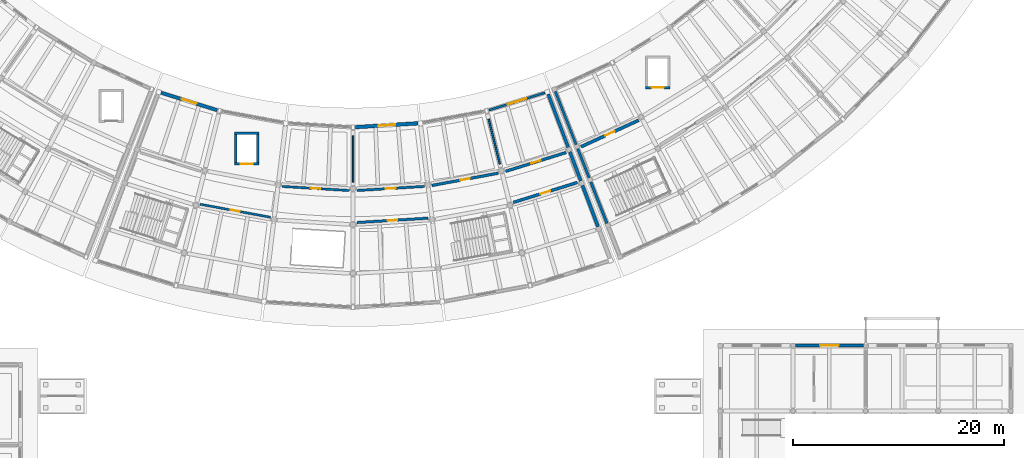
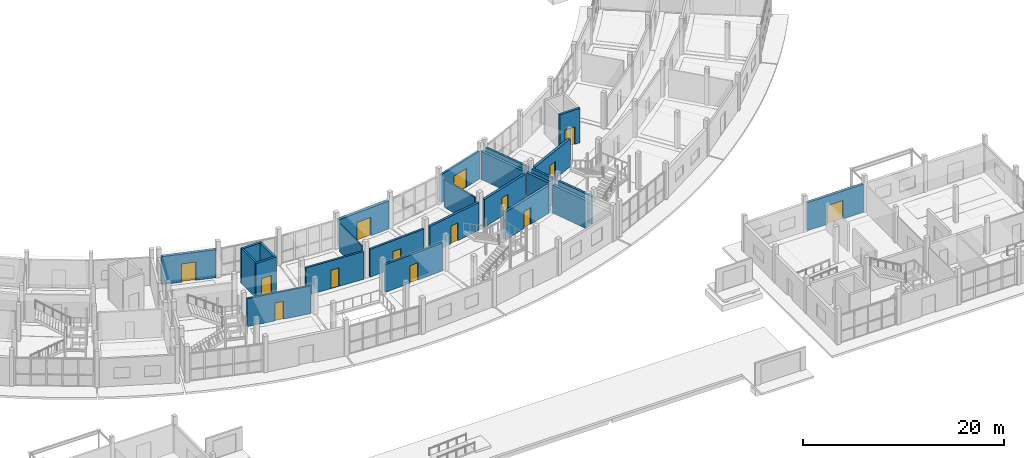
# One storey, part 69 of 92: 25 walls, 14 doors, 14 openings.
"""IFC4 building model written with IfcOpenShell, lengths in metres."""

from ifc_helpers import new_model, si_unit, direction, frame, frame_2d, origin, place, context, subcontext, project, spatial, rectangle, extrude, material, layer, layer_set, type_object, element, fill, save


model = new_model("IFC4")

# Units and contexts
model_context = context("Model", 3, precision=1e-05, world=origin(), true_north=direction((0.0, 1.0)))
body_context = subcontext(model_context, "Body", "Model", "MODEL_VIEW")
ifc_project = project(units=[si_unit("LENGTHUNIT", "METRE"), si_unit("AREAUNIT", "SQUARE_METRE"), si_unit("VOLUMEUNIT", "CUBIC_METRE"), si_unit("PLANEANGLEUNIT", "RADIAN"), si_unit("MASSUNIT", "GRAM", prefix="KILO")], contexts=[model_context])

# Site, building, storey
site_placement = place(None, origin())
site = spatial("IfcSite", under=ifc_project, at=site_placement, CompositionType="ELEMENT")
building_placement = place(site_placement, origin())
building = spatial("IfcBuilding", under=site, at=building_placement, Name="Caldaven Crescent School", CompositionType="ELEMENT")
storey_placement = place(building_placement, origin())
storey = spatial("IfcBuildingStorey", under=building, at=storey_placement, Name="L00", CompositionType="ELEMENT", Elevation=0.0)

# Wall
ifc_material_1 = material(Name="Concrete C35/45", Category="concrete")
ifc_layer_1 = layer(ifc_material_1, 0.300048828125)
ifc_layer_set_1 = layer_set([ifc_layer_1], Name="Concrete C35/45")
wall_type_1 = type_object("IfcWallType", Name="WAL-CW1", PredefinedType="SHEAR", material=ifc_layer_set_1)
wall_1_placement = place(storey_placement, frame((76.729248046875, 42.977783203125, 0.0), z_axis=(0.0, 0.0, 1.0), x_axis=(1.0, 0.0, 0.0)))
element("IfcWall", 1, at=wall_1_placement, inside=storey, type_object=wall_type_1, Name="CW-LF5-L00-N", PredefinedType="SHEAR", context=body_context, shape_type="SweptSolid", body=[
    extrude(rectangle(XDim=2.349853515625, YDim=0.25, at=frame_2d((1.1748046875, 0.0))), origin(), (0.0, 0.0, 1.0), 4.199951171875),
])

# Wall, opening, door
wall_2_placement = place(storey_placement, frame((76.729248046875, 40.07763671875, 0.0), z_axis=(0.0, 0.0, 1.0), x_axis=(1.0, 0.0, 0.0)))
wall_2 = element("IfcWall", 2, at=wall_2_placement, inside=storey, type_object=wall_type_1, Name="CW-LF5-L00-S", PredefinedType="SHEAR", context=body_context, shape_type="SweptSolid", body=[
    extrude(rectangle(XDim=2.349853515625, YDim=0.25, at=frame_2d((1.1748046875, 0.0))), origin(), (0.0, 0.0, 1.0), 4.199951171875),
])
opening_1_placement = place(wall_2_placement, frame((0.60009765625, 0.0, 0.0)))
opening_1 = element("IfcOpeningElement", 3, at=opening_1_placement, cuts=wall_2, Name="Opening LD-LF5-L00", PredefinedType="OPENING", context=body_context, shape_type="SweptSolid", body=[
    extrude(rectangle(XDim=1.14990234375, YDim=2.14990234375, at=frame_2d((0.574951171875, 1.074951171875))), frame((0.0, 0.135009765625, 0.0), z_axis=(0.0, -1.0, 0.0), x_axis=(1.0, 0.0, 0.0)), (0.0, 0.0, 1.0), 0.27001953125),
])
ifc_material_2 = material(Name="Brushed stainless-steel automatic telescopic landing door", Category="steel")
door_type_1 = type_object("IfcDoorType", Name="DOR-LD02", OperationType="DOUBLE_DOOR_SLIDING", PredefinedType="DOOR", material=ifc_material_2)
door_1_placement = place(opening_1_placement, origin())
door_1 = element("IfcDoor", 4, at=door_1_placement, inside=storey, type_object=door_type_1, Name="DOR-LD-LF5-L00", OperationType="DOUBLE_DOOR_SLIDING", OverallHeight=2.14990234375, OverallWidth=1.14990234375, PredefinedType="DOOR", context=body_context, shape_type="SweptSolid", body=[
    extrude(rectangle(XDim=1.14990234375, YDim=2.14990234375, at=frame_2d((0.574951171875, 1.074951171875))), frame((0.0, 0.02490234375, 0.0), z_axis=(0.0, -1.0, 0.0), x_axis=(1.0, 0.0, 0.0)), (0.0, 0.0, 1.0), 0.050048828125),
])
fill(opening_1, door_1)

wall_3_placement = place(storey_placement, frame((115.771484375, 47.313720703125, 0.0), z_axis=(0.0, 0.0, 1.0), x_axis=(1.0, 0.0, 0.0)))
wall_3 = element("IfcWall", 5, at=wall_3_placement, inside=storey, type_object=wall_type_1, Name="CW-LF6-L00-S", PredefinedType="SHEAR", context=body_context, shape_type="SweptSolid", body=[
    extrude(rectangle(XDim=2.349853515625, YDim=0.25, at=frame_2d((1.1748046875, 0.0))), origin(), (0.0, 0.0, 1.0), 4.199951171875),
])
opening_2_placement = place(wall_3_placement, frame((0.60009765625, 0.0, 0.0)))
opening_2 = element("IfcOpeningElement", 6, at=opening_2_placement, cuts=wall_3, Name="Opening LD-LF6-L00", PredefinedType="OPENING", context=body_context, shape_type="SweptSolid", body=[
    extrude(rectangle(XDim=1.14990234375, YDim=2.14990234375, at=frame_2d((0.574951171875, 1.074951171875))), frame((0.0, 0.135009765625, 0.0), z_axis=(0.0, -1.0, 0.0), x_axis=(1.0, 0.0, 0.0)), (0.0, 0.0, 1.0), 0.27001953125),
])
door_2_placement = place(opening_2_placement, origin())
door_2 = element("IfcDoor", 7, at=door_2_placement, inside=storey, type_object=door_type_1, Name="DOR-LD-LF6-L00", OperationType="DOUBLE_DOOR_SLIDING", OverallHeight=2.14990234375, OverallWidth=1.14990234375, PredefinedType="DOOR", context=body_context, shape_type="SweptSolid", body=[
    extrude(rectangle(XDim=1.14990234375, YDim=2.14990234375, at=frame_2d((0.574951171875, 1.074951171875))), frame((0.0, 0.02490234375, 0.0), z_axis=(0.0, -1.0, 0.0), x_axis=(1.0, 0.0, 0.0)), (0.0, 0.0, 1.0), 0.050048828125),
])
fill(opening_2, door_2)

# Walls
ifc_layer_2 = layer(ifc_material_1, 0.25)
ifc_layer_set_2 = layer_set([ifc_layer_2], Name="Concrete C35/45")
wall_type_2 = type_object("IfcWallType", Name="WAL-CW2", PredefinedType="SHEAR", material=ifc_layer_set_2)
for number, where, z_axis, x_axis, name in (
    (8, (76.854248046875, 40.20263671875, 0.0), (0.0, 0.0, 1.0), (0.0, 1.0, 0.0), "CW-LF5-L00-W"),
    (9, (78.9541015625, 40.20263671875, 0.0), (0.0, 0.0, 1.0), (0.0, 1.0, 0.0), "CW-LF5-L00-E"),
):
    element("IfcWall", number, at=place(storey_placement, frame(where, z_axis=z_axis, x_axis=x_axis)), inside=storey, type_object=wall_type_2, Name=name, PredefinedType="SHEAR", context=body_context, shape_type="SweptSolid", body=[
        extrude(rectangle(XDim=2.650146484375, YDim=0.25, at=frame_2d((1.3251953125, 0.0))), origin(), (0.0, 0.0, 1.0), 4.199951171875),
    ])

# Wall, opening, door
ifc_material_3 = material(Name="Precast concrete C35/45", Category="concrete")
ifc_layer_3 = layer(ifc_material_3, 0.216064453125)
ifc_layer_set_3 = layer_set([ifc_layer_3], Name="Precast concrete C35/45")
wall_type_3 = type_object("IfcWallType", Name="WAL-EW03", PredefinedType="STANDARD", material=ifc_layer_set_3)
wall_4_placement = place(storey_placement, frame((100.906494140625, 45.17578125, 0.0), z_axis=(0.0, 0.0, 1.0), x_axis=(0.954746266754, 0.297421529348, 0.0)))
wall_4 = element("IfcWall", 10, at=wall_4_placement, inside=storey, type_object=wall_type_3, Name="EW-L00-100", PredefinedType="STANDARD", context=body_context, shape_type="SweptSolid", body=[
    extrude(rectangle(XDim=5.587646484375, YDim=0.216064453125, at=frame_2d((2.7939453125, 0.0))), origin(), (0.0, 0.0, 1.0), 3.39990234375),
])
opening_3_placement = place(wall_4_placement, frame((1.86865234375, 0.0, 0.0)))
opening_3 = element("IfcOpeningElement", 11, at=opening_3_placement, cuts=wall_4, Name="Opening D-L00-E026", PredefinedType="OPENING", context=body_context, shape_type="SweptSolid", body=[
    extrude(rectangle(XDim=1.85009765625, YDim=2.280029296875, at=frame_2d((0.925048828125, 1.14013671875))), frame((0.0, 0.117919921875, 0.0), z_axis=(0.0, -1.0, 0.0), x_axis=(1.0, 0.0, 0.0)), (0.0, 0.0, 1.0), 0.236083984375),
])
ifc_material_4 = material(Name="Thermally broken bronze-anodised aluminium and laminated safety glass", Category="aluminium")
door_type_2 = type_object("IfcDoorType", Name="DOR-EX11", OperationType="NOTDEFINED", PredefinedType="DOOR", material=ifc_material_4)
door_3_placement = place(opening_3_placement, origin())
door_3 = element("IfcDoor", 12, at=door_3_placement, inside=storey, type_object=door_type_2, Name="DOR-EXT-L00-026", OperationType="DOUBLE_DOOR_SINGLE_SWING", OverallHeight=2.280029296875, OverallWidth=1.85009765625, PredefinedType="DOOR", context=body_context, shape_type="SweptSolid", body=[
    extrude(rectangle(XDim=1.85009765625, YDim=2.280029296875, at=frame_2d((0.925048828125, 1.14013671875))), frame((0.0, 0.02490234375, 0.0), z_axis=(0.0, -1.0, 0.0), x_axis=(1.0, 0.0, 0.0)), (0.0, 0.0, 1.0), 0.050048828125),
])
fill(opening_3, door_3)

# Walls
ifc_layer_4 = layer(ifc_material_3, 0.22802734375)
ifc_layer_set_4 = layer_set([ifc_layer_4], Name="Precast concrete C35/45")
wall_type_4 = type_object("IfcWallType", Name="WAL-EW04", PredefinedType="STANDARD", material=ifc_layer_set_4)
wall_5_placement = place(storey_placement, frame((107.210693359375, 46.966064453125, 0.0), z_axis=(0.0, 0.0, 1.0), x_axis=(0.364808316681, -0.93108264514, 0.0)))
element("IfcWall", 13, at=wall_5_placement, inside=storey, type_object=wall_type_4, Name="EW-L00-115", PredefinedType="STANDARD", context=body_context, shape_type="SweptSolid", body=[
    extrude(rectangle(XDim=5.424072265625, YDim=0.22802734375, at=frame_2d((2.7119140625, 0.0))), origin(), (0.0, 0.0, 1.0), 3.39990234375),
])
ifc_layer_5 = layer(ifc_material_3, 0.239990234375)
ifc_layer_set_5 = layer_set([ifc_layer_5], Name="Precast concrete C35/45")
wall_type_5 = type_object("IfcWallType", Name="WAL-EW05", PredefinedType="STANDARD", material=ifc_layer_set_5)
wall_6_placement = place(storey_placement, frame((109.3447265625, 41.51904296875, 0.0), z_axis=(0.0, 0.0, 1.0), x_axis=(0.364814075751, -0.931080388653, 0.0)))
element("IfcWall", 14, at=wall_6_placement, inside=storey, type_object=wall_type_5, Name="EW-L00-116", PredefinedType="STANDARD", context=body_context, shape_type="SweptSolid", body=[
    extrude(rectangle(XDim=2.97412109375, YDim=0.239990234375, at=frame_2d((1.487060546875, 0.0))), origin(), (0.0, 0.0, 1.0), 3.39990234375),
])
ifc_layer_6 = layer(ifc_material_3, 0.251953125)
ifc_layer_set_6 = layer_set([ifc_layer_6], Name="Precast concrete C35/45")
wall_type_6 = type_object("IfcWallType", Name="WAL-EW06", PredefinedType="STANDARD", material=ifc_layer_set_6)
wall_7_placement = place(storey_placement, frame((110.5849609375, 38.353271484375, 0.0), z_axis=(0.0, 0.0, 1.0), x_axis=(0.364824271904, -0.931076393552, 0.0)))
element("IfcWall", 15, at=wall_7_placement, inside=storey, type_object=wall_type_6, Name="EW-L00-117", PredefinedType="STANDARD", context=body_context, shape_type="SweptSolid", body=[
    extrude(rectangle(XDim=4.223876953125, YDim=0.251953125, at=frame_2d((2.11181640625, 0.0))), origin(), (0.0, 0.0, 1.0), 3.39990234375),
])

# Wall, opening, door
ifc_layer_7 = layer(ifc_material_3, 0.2880859375)
ifc_layer_set_7 = layer_set([ifc_layer_7], Name="Precast concrete C35/45")
wall_type_7 = type_object("IfcWallType", Name="WAL-EW09", PredefinedType="STANDARD", material=ifc_layer_set_7)
wall_8_placement = place(storey_placement, frame((130.012939453125, 22.800048828125, 0.0), z_axis=(0.0, 0.0, 1.0), x_axis=(1.0, 0.0, 0.0)))
wall_8 = element("IfcWall", 16, at=wall_8_placement, inside=storey, type_object=wall_type_7, Name="EW-L00-036", PredefinedType="STANDARD", context=body_context, shape_type="SweptSolid", body=[
    extrude(rectangle(XDim=6.47412109375, YDim=0.2880859375, at=frame_2d((3.237060546875, 0.0))), origin(), (0.0, 0.0, 1.0), 3.39990234375),
])
opening_4_placement = place(wall_8_placement, frame((2.362060546875, 0.0, 0.0)))
opening_4 = element("IfcOpeningElement", 17, at=opening_4_placement, cuts=wall_8, Name="Opening D-L00-E011", PredefinedType="OPENING", context=body_context, shape_type="SweptSolid", body=[
    extrude(rectangle(XDim=1.75, YDim=2.25, at=frame_2d((0.875, 1.125))), frame((0.0, 0.154052734375, 0.0), z_axis=(0.0, -1.0, 0.0), x_axis=(1.0, 0.0, 0.0)), (0.0, 0.0, 1.0), 0.30810546875),
])
door_type_3 = type_object("IfcDoorType", Name="DOR-EX10", OperationType="NOTDEFINED", PredefinedType="DOOR", material=ifc_material_4)
door_4_placement = place(opening_4_placement, origin())
door_4 = element("IfcDoor", 18, at=door_4_placement, inside=storey, type_object=door_type_3, Name="DOR-EXT-L00-011", OperationType="DOUBLE_DOOR_SINGLE_SWING", OverallHeight=2.25, OverallWidth=1.75, PredefinedType="DOOR", context=body_context, shape_type="SweptSolid", body=[
    extrude(rectangle(XDim=1.75, YDim=2.25, at=frame_2d((0.875, 1.125))), frame((0.0, 0.02490234375, 0.0), z_axis=(0.0, -1.0, 0.0), x_axis=(1.0, 0.0, 0.0)), (0.0, 0.0, 1.0), 0.050048828125),
])
fill(opening_4, door_4)

# Walls
wall_9_placement = place(storey_placement, frame((106.5390625, 46.692138671875, 0.0), z_axis=(0.0, 0.0, 1.0), x_axis=(0.351902052439, -0.936036829131, 0.0)))
element("IfcWall", 19, at=wall_9_placement, inside=storey, type_object=wall_type_7, Name="EW-L00-106", PredefinedType="STANDARD", context=body_context, shape_type="SweptSolid", body=[
    extrude(rectangle(XDim=5.39404296875, YDim=0.2880859375, at=frame_2d((2.697021484375, 0.0))), origin(), (0.0, 0.0, 1.0), 3.39990234375),
])
ifc_layer_8 = layer(ifc_material_3, 0.300048828125)
ifc_layer_set_8 = layer_set([ifc_layer_8], Name="Precast concrete C35/45")
wall_type_8 = type_object("IfcWallType", Name="WAL-EW10", PredefinedType="STANDARD", material=ifc_layer_set_8)
wall_10_placement = place(storey_placement, frame((108.597900390625, 41.21630859375, 0.0), z_axis=(0.0, 0.0, 1.0), x_axis=(0.351950321766, -0.936018680908, 0.0)))
element("IfcWall", 20, at=wall_10_placement, inside=storey, type_object=wall_type_8, Name="EW-L00-107", PredefinedType="STANDARD", context=body_context, shape_type="SweptSolid", body=[
    extrude(rectangle(XDim=2.944091796875, YDim=0.300048828125, at=frame_2d((1.47216796875, 0.0))), origin(), (0.0, 0.0, 1.0), 3.39990234375),
])
ifc_layer_9 = layer(ifc_material_3, 0.31201171875)
ifc_layer_set_9 = layer_set([ifc_layer_9], Name="Precast concrete C35/45")
wall_type_9 = type_object("IfcWallType", Name="WAL-EW11", PredefinedType="STANDARD", material=ifc_layer_set_9)
wall_11_placement = place(storey_placement, frame((109.79443359375, 38.03369140625, 0.0), z_axis=(0.0, 0.0, 1.0), x_axis=(0.351959024786, -0.936015408458, 0.0)))
element("IfcWall", 21, at=wall_11_placement, inside=storey, type_object=wall_type_9, Name="EW-L00-108", PredefinedType="STANDARD", context=body_context, shape_type="SweptSolid", body=[
    extrude(rectangle(XDim=4.19384765625, YDim=0.31201171875, at=frame_2d((2.096923828125, 0.0))), origin(), (0.0, 0.0, 1.0), 3.39990234375),
])

# Wall, opening, door
ifc_layer_10 = layer(ifc_material_3, 0.323974609375)
ifc_layer_set_10 = layer_set([ifc_layer_10], Name="Precast concrete C35/45")
wall_type_10 = type_object("IfcWallType", Name="WAL-EW12", PredefinedType="STANDARD", material=ifc_layer_set_10)
wall_12_placement = place(storey_placement, frame((69.7587890625, 46.837646484375, 0.0), z_axis=(0.0, 0.0, 1.0), x_axis=(0.954746266754, -0.297421529348, 0.0)))
wall_12 = element("IfcWall", 22, at=wall_12_placement, inside=storey, type_object=wall_type_10, Name="EW-L00-095", PredefinedType="STANDARD", context=body_context, shape_type="SweptSolid", body=[
    extrude(rectangle(XDim=5.587646484375, YDim=0.323974609375, at=frame_2d((2.7939453125, 0.0))), origin(), (0.0, 0.0, 1.0), 3.39990234375),
])
opening_5_placement = place(wall_12_placement, frame((2.068603515625, 0.0, 0.0)))
opening_5 = element("IfcOpeningElement", 23, at=opening_5_placement, cuts=wall_12, Name="Opening D-L00-E022", PredefinedType="OPENING", context=body_context, shape_type="SweptSolid", body=[
    extrude(rectangle(XDim=1.449951171875, YDim=2.219970703125, at=frame_2d((0.72509765625, 1.10986328125))), frame((0.0, 0.171875, 0.0), z_axis=(0.0, -1.0, 0.0), x_axis=(1.0, 0.0, 0.0)), (0.0, 0.0, 1.0), 0.343994140625),
])
door_type_4 = type_object("IfcDoorType", Name="DOR-EX07", OperationType="NOTDEFINED", PredefinedType="DOOR", material=ifc_material_4)
door_5_placement = place(opening_5_placement, origin())
door_5 = element("IfcDoor", 24, at=door_5_placement, inside=storey, type_object=door_type_4, Name="DOR-EXT-L00-022", OperationType="DOUBLE_DOOR_SINGLE_SWING", OverallHeight=2.219970703125, OverallWidth=1.449951171875, PredefinedType="DOOR", context=body_context, shape_type="SweptSolid", body=[
    extrude(rectangle(XDim=1.449951171875, YDim=2.219970703125, at=frame_2d((0.72509765625, 1.10986328125))), frame((0.0, 0.02490234375, 0.0), z_axis=(0.0, -1.0, 0.0), x_axis=(1.0, 0.0, 0.0)), (0.0, 0.0, 1.0), 0.050048828125),
])
fill(opening_5, door_5)

ifc_layer_11 = layer(ifc_material_3, 0.347900390625)
ifc_layer_set_11 = layer_set([ifc_layer_11], Name="Precast concrete C35/45")
wall_type_11 = type_object("IfcWallType", Name="WAL-EW14", PredefinedType="STANDARD", material=ifc_layer_set_11)
wall_13_placement = place(storey_placement, frame((88.2275390625, 43.56396484375, 0.0), z_axis=(0.0, 0.0, 1.0), x_axis=(0.998135680188, 0.061034121081, 0.0)))
wall_13 = element("IfcWall", 25, at=wall_13_placement, inside=storey, type_object=wall_type_11, Name="EW-L00-097", PredefinedType="STANDARD", context=body_context, shape_type="SweptSolid", body=[
    extrude(rectangle(XDim=5.947998046875, YDim=0.347900390625, at=frame_2d((2.97412109375, 0.0))), origin(), (0.0, 0.0, 1.0), 3.39990234375),
])
opening_6_placement = place(wall_13_placement, frame((2.14892578125, 0.0, 0.0)))
opening_6 = element("IfcOpeningElement", 26, at=opening_6_placement, cuts=wall_13, Name="Opening D-L00-E024", PredefinedType="OPENING", context=body_context, shape_type="SweptSolid", body=[
    extrude(rectangle(XDim=1.64990234375, YDim=2.25, at=frame_2d((0.824951171875, 1.125))), frame((0.0, 0.183837890625, 0.0), z_axis=(0.0, -1.0, 0.0), x_axis=(1.0, 0.0, 0.0)), (0.0, 0.0, 1.0), 0.367919921875),
])
door_type_5 = type_object("IfcDoorType", Name="DOR-EX09", OperationType="NOTDEFINED", PredefinedType="DOOR", material=ifc_material_4)
door_6_placement = place(opening_6_placement, origin())
door_6 = element("IfcDoor", 27, at=door_6_placement, inside=storey, type_object=door_type_5, Name="DOR-EXT-L00-024", OperationType="DOUBLE_DOOR_SINGLE_SWING", OverallHeight=2.25, OverallWidth=1.64990234375, PredefinedType="DOOR", context=body_context, shape_type="SweptSolid", body=[
    extrude(rectangle(XDim=1.64990234375, YDim=2.25, at=frame_2d((0.824951171875, 1.125))), frame((0.0, 0.02490234375, 0.0), z_axis=(0.0, -1.0, 0.0), x_axis=(1.0, 0.0, 0.0)), (0.0, 0.0, 1.0), 0.050048828125),
])
fill(opening_6, door_6)

ifc_material_5 = material(Name="Acoustic timber-stud and fire-rated gypsum board assembly", Category="wood")
ifc_layer_12 = layer(ifc_material_5, 0.2099609375)
ifc_layer_set_12 = layer_set([ifc_layer_12], Name="Acoustic timber-stud and fire-rated gypsum board assembly")
wall_type_12 = type_object("IfcWallType", Name="WAL-IW06", PredefinedType="STANDARD", material=ifc_layer_set_12)
wall_14_placement = place(storey_placement, frame((73.470947265625, 36.24169921875, 0.0), z_axis=(0.0, 0.0, 1.0), x_axis=(0.983257442509, -0.182221847619, 0.0)))
wall_14 = element("IfcWall", 28, at=wall_14_placement, inside=storey, type_object=wall_type_12, Name="IW-L00-0181", PredefinedType="STANDARD", context=body_context, shape_type="SweptSolid", body=[
    extrude(rectangle(XDim=6.79150390625, YDim=0.2099609375, at=frame_2d((3.395751953125, 0.0))), origin(), (0.0, 0.0, 1.0), 3.3798828125),
])
opening_7_placement = place(wall_14_placement, frame((2.94580078125, 0.0, 0.0)))
opening_7 = element("IfcOpeningElement", 29, at=opening_7_placement, cuts=wall_14, Name="Opening D-L00-I126", PredefinedType="OPENING", context=body_context, shape_type="SweptSolid", body=[
    extrude(rectangle(XDim=0.89990234375, YDim=2.179931640625, at=frame_2d((0.449951171875, 1.08984375))), frame((0.0, 0.114990234375, 0.0), z_axis=(0.0, -1.0, 0.0), x_axis=(1.0, 0.0, 0.0)), (0.0, 0.0, 1.0), 0.22998046875),
])
ifc_material_6 = material(Name="Solid-core Pino Radiata acoustic timber leaf in steel frame", Category="steel")
door_type_6 = type_object("IfcDoorType", Name="DOR-ID07", OperationType="NOTDEFINED", PredefinedType="DOOR", material=ifc_material_6)
door_7_placement = place(opening_7_placement, origin())
door_7 = element("IfcDoor", 30, at=door_7_placement, inside=storey, type_object=door_type_6, Name="DOR-INT-L00-0126", OperationType="SINGLE_SWING_LEFT", OverallHeight=2.179931640625, OverallWidth=0.89990234375, PredefinedType="DOOR", context=body_context, shape_type="SweptSolid", body=[
    extrude(rectangle(XDim=0.89990234375, YDim=2.179931640625, at=frame_2d((0.449951171875, 1.08984375))), frame((0.0, 0.02490234375, 0.0), z_axis=(0.0, -1.0, 0.0), x_axis=(1.0, 0.0, 0.0)), (0.0, 0.0, 1.0), 0.050048828125),
])
fill(opening_7, door_7)

ifc_layer_13 = layer(ifc_material_5, 0.219970703125)
ifc_layer_set_13 = layer_set([ifc_layer_13], Name="Acoustic timber-stud and fire-rated gypsum board assembly")
wall_type_13 = type_object("IfcWallType", Name="WAL-IW07", PredefinedType="STANDARD", material=ifc_layer_set_13)
wall_15_placement = place(storey_placement, frame((81.232421875, 37.933837890625, 0.0), z_axis=(0.0, 0.0, 1.0), x_axis=(0.998135716959, -0.061033519724, 0.0)))
wall_15 = element("IfcWall", 31, at=wall_15_placement, inside=storey, type_object=wall_type_13, Name="IW-L00-0182", PredefinedType="STANDARD", context=body_context, shape_type="SweptSolid", body=[
    extrude(rectangle(XDim=6.420166015625, YDim=0.219970703125, at=frame_2d((3.2099609375, 0.0))), origin(), (0.0, 0.0, 1.0), 3.3798828125),
])
opening_8_placement = place(wall_15_placement, frame((2.760009765625, 0.0, 0.0)))
opening_8 = element("IfcOpeningElement", 32, at=opening_8_placement, cuts=wall_15, Name="Opening D-L00-I127", PredefinedType="OPENING", context=body_context, shape_type="SweptSolid", body=[
    extrude(rectangle(XDim=0.89990234375, YDim=2.239990234375, at=frame_2d((0.449951171875, 1.1201171875))), frame((0.0, 0.119873046875, 0.0), z_axis=(0.0, -1.0, 0.0), x_axis=(1.0, 0.0, 0.0)), (0.0, 0.0, 1.0), 0.239990234375),
])
door_type_7 = type_object("IfcDoorType", Name="DOR-ID08", OperationType="NOTDEFINED", PredefinedType="DOOR", material=ifc_material_6)
door_8_placement = place(opening_8_placement, frame((0.89990234375, 0.0, 0.0), z_axis=(0.0, 0.0, 1.0), x_axis=(-1.0, 0.0, 0.0)))
door_8 = element("IfcDoor", 33, at=door_8_placement, inside=storey, type_object=door_type_7, Name="DOR-INT-L00-0127", OperationType="SINGLE_SWING_RIGHT", OverallHeight=2.239990234375, OverallWidth=0.89990234375, PredefinedType="DOOR", context=body_context, shape_type="SweptSolid", body=[
    extrude(rectangle(XDim=0.89990234375, YDim=2.239990234375, at=frame_2d((0.449951171875, 1.1201171875))), frame((0.0, 0.02490234375, 0.0), z_axis=(0.0, -1.0, 0.0), x_axis=(1.0, 0.0, 0.0)), (0.0, 0.0, 1.0), 0.050048828125),
])
fill(opening_8, door_8)

ifc_layer_14 = layer(ifc_material_5, 0.22998046875)
ifc_layer_set_14 = layer_set([ifc_layer_14], Name="Acoustic timber-stud and fire-rated gypsum board assembly")
wall_type_14 = type_object("IfcWallType", Name="WAL-IW08", PredefinedType="STANDARD", material=ifc_layer_set_14)
wall_16_placement = place(storey_placement, frame((88.359375, 37.5419921875, 0.0), z_axis=(0.0, 0.0, 1.0), x_axis=(0.998135716959, 0.061033519724, 0.0)))
wall_16 = element("IfcWall", 34, at=wall_16_placement, inside=storey, type_object=wall_type_14, Name="IW-L00-0183", PredefinedType="STANDARD", context=body_context, shape_type="SweptSolid", body=[
    extrude(rectangle(XDim=6.420166015625, YDim=0.22998046875, at=frame_2d((3.2099609375, 0.0))), origin(), (0.0, 0.0, 1.0), 3.3798828125),
])
opening_9_placement = place(wall_16_placement, frame((2.739990234375, 0.0, 0.0)))
opening_9 = element("IfcOpeningElement", 35, at=opening_9_placement, cuts=wall_16, Name="Opening D-L00-I128", PredefinedType="OPENING", context=body_context, shape_type="SweptSolid", body=[
    extrude(rectangle(XDim=0.93994140625, YDim=2.06005859375, at=frame_2d((0.469970703125, 1.030029296875))), frame((0.0, 0.125, 0.0), z_axis=(0.0, -1.0, 0.0), x_axis=(1.0, 0.0, 0.0)), (0.0, 0.0, 1.0), 0.25),
])
door_type_8 = type_object("IfcDoorType", Name="DOR-ID09", OperationType="NOTDEFINED", PredefinedType="DOOR", material=ifc_material_6)
door_9_placement = place(opening_9_placement, frame((0.93994140625, 0.0, 0.0), z_axis=(0.0, 0.0, 1.0), x_axis=(-1.0, 0.0, 0.0)))
door_9 = element("IfcDoor", 36, at=door_9_placement, inside=storey, type_object=door_type_8, Name="DOR-INT-L00-0128", OperationType="SINGLE_SWING_LEFT", OverallHeight=2.06005859375, OverallWidth=0.93994140625, PredefinedType="DOOR", context=body_context, shape_type="SweptSolid", body=[
    extrude(rectangle(XDim=0.93994140625, YDim=2.06005859375, at=frame_2d((0.469970703125, 1.030029296875))), frame((0.0, 0.02490234375, 0.0), z_axis=(0.0, -1.0, 0.0), x_axis=(1.0, 0.0, 0.0)), (0.0, 0.0, 1.0), 0.050048828125),
])
fill(opening_9, door_9)

ifc_layer_15 = layer(ifc_material_5, 0.239990234375)
ifc_layer_set_15 = layer_set([ifc_layer_15], Name="Acoustic timber-stud and fire-rated gypsum board assembly")
wall_type_15 = type_object("IfcWallType", Name="WAL-IW09", PredefinedType="STANDARD", material=ifc_layer_set_15)
wall_17_placement = place(storey_placement, frame((88.359375, 34.501953125, 0.0), z_axis=(0.0, 0.0, 1.0), x_axis=(0.998135326973, 0.061039897184, 0.0)))
wall_17 = element("IfcWall", 37, at=wall_17_placement, inside=storey, type_object=wall_type_15, Name="IW-L00-0184", PredefinedType="STANDARD", context=body_context, shape_type="SweptSolid", body=[
    extrude(rectangle(XDim=6.79150390625, YDim=0.239990234375, at=frame_2d((3.395751953125, 0.0))), origin(), (0.0, 0.0, 1.0), 3.3798828125),
])
opening_10_placement = place(wall_17_placement, frame((2.92578125, 0.0, 0.0)))
opening_10 = element("IfcOpeningElement", 38, at=opening_10_placement, cuts=wall_17, Name="Opening D-L00-I129", PredefinedType="OPENING", context=body_context, shape_type="SweptSolid", body=[
    extrude(rectangle(XDim=0.93994140625, YDim=2.1201171875, at=frame_2d((0.469970703125, 1.06005859375))), frame((0.0, 0.1298828125, 0.0), z_axis=(0.0, -1.0, 0.0), x_axis=(1.0, 0.0, 0.0)), (0.0, 0.0, 1.0), 0.260009765625),
])
door_type_9 = type_object("IfcDoorType", Name="DOR-ID10", OperationType="NOTDEFINED", PredefinedType="DOOR", material=ifc_material_6)
door_10_placement = place(opening_10_placement, origin())
door_10 = element("IfcDoor", 39, at=door_10_placement, inside=storey, type_object=door_type_9, Name="DOR-INT-L00-0129", OperationType="SINGLE_SWING_RIGHT", OverallHeight=2.1201171875, OverallWidth=0.93994140625, PredefinedType="DOOR", context=body_context, shape_type="SweptSolid", body=[
    extrude(rectangle(XDim=0.93994140625, YDim=2.1201171875, at=frame_2d((0.469970703125, 1.06005859375))), frame((0.0, 0.02490234375, 0.0), z_axis=(0.0, -1.0, 0.0), x_axis=(1.0, 0.0, 0.0)), (0.0, 0.0, 1.0), 0.050048828125),
])
fill(opening_10, door_10)

ifc_layer_16 = layer(ifc_material_5, 0.260009765625)
ifc_layer_set_16 = layer_set([ifc_layer_16], Name="Acoustic timber-stud and fire-rated gypsum board assembly")
wall_type_16 = type_object("IfcWallType", Name="WAL-IW11", PredefinedType="STANDARD", material=ifc_layer_set_16)
wall_18_placement = place(storey_placement, frame((95.48095703125, 38.021484375, 0.0), z_axis=(0.0, 0.0, 1.0), x_axis=(0.983257031249, 0.182224066742, 0.0)))
wall_18 = element("IfcWall", 40, at=wall_18_placement, inside=storey, type_object=wall_type_16, Name="IW-L00-0186", PredefinedType="STANDARD", context=body_context, shape_type="SweptSolid", body=[
    extrude(rectangle(XDim=6.420166015625, YDim=0.260009765625, at=frame_2d((3.2099609375, 0.0))), origin(), (0.0, 0.0, 1.0), 3.3798828125),
])
opening_11_placement = place(wall_18_placement, frame((2.739990234375, 0.0, 0.0)))
opening_11 = element("IfcOpeningElement", 41, at=opening_11_placement, cuts=wall_18, Name="Opening D-L00-I130", PredefinedType="OPENING", context=body_context, shape_type="SweptSolid", body=[
    extrude(rectangle(XDim=0.93994140625, YDim=2.179931640625, at=frame_2d((0.469970703125, 1.08984375))), frame((0.0, 0.139892578125, 0.0), z_axis=(0.0, -1.0, 0.0), x_axis=(1.0, 0.0, 0.0)), (0.0, 0.0, 1.0), 0.280029296875),
])
door_type_10 = type_object("IfcDoorType", Name="DOR-ID11", OperationType="NOTDEFINED", PredefinedType="DOOR", material=ifc_material_6)
door_11_placement = place(opening_11_placement, frame((0.93994140625, 0.0, 0.0), z_axis=(0.0, 0.0, 1.0), x_axis=(-1.0, 0.0, 0.0)))
door_11 = element("IfcDoor", 42, at=door_11_placement, inside=storey, type_object=door_type_10, Name="DOR-INT-L00-0130", OperationType="SINGLE_SWING_LEFT", OverallHeight=2.179931640625, OverallWidth=0.93994140625, PredefinedType="DOOR", context=body_context, shape_type="SweptSolid", body=[
    extrude(rectangle(XDim=0.93994140625, YDim=2.179931640625, at=frame_2d((0.469970703125, 1.08984375))), frame((0.0, 0.02490234375, 0.0), z_axis=(0.0, -1.0, 0.0), x_axis=(1.0, 0.0, 0.0)), (0.0, 0.0, 1.0), 0.050048828125),
])
fill(opening_11, door_11)

ifc_material_7 = material(Name="Autoclaved aerated concrete block masonry G5", Category="masonry")
ifc_layer_17 = layer(ifc_material_7, 0.27001953125)
ifc_layer_set_17 = layer_set([ifc_layer_17], Name="Autoclaved aerated concrete block masonry G5")
wall_type_17 = type_object("IfcWallType", Name="WAL-IW12", PredefinedType="STANDARD", material=ifc_layer_set_17)
wall_19_placement = place(storey_placement, frame((102.4912109375, 39.3642578125, 0.0), z_axis=(0.0, 0.0, 1.0), x_axis=(0.954756741519, 0.297387902451, 0.0)))
wall_19 = element("IfcWall", 43, at=wall_19_placement, inside=storey, type_object=wall_type_17, Name="IW-L00-0187", PredefinedType="STANDARD", context=body_context, shape_type="SweptSolid", body=[
    extrude(rectangle(XDim=6.018310546875, YDim=0.27001953125, at=frame_2d((3.00927734375, 0.0))), origin(), (0.0, 0.0, 1.0), 3.3798828125),
])
opening_12_placement = place(wall_19_placement, frame((2.5390625, 0.0, 0.0)))
opening_12 = element("IfcOpeningElement", 44, at=opening_12_placement, cuts=wall_19, Name="Opening D-L00-I131", PredefinedType="OPENING", context=body_context, shape_type="SweptSolid", body=[
    extrude(rectangle(XDim=0.93994140625, YDim=2.239990234375, at=frame_2d((0.469970703125, 1.1201171875))), frame((0.0, 0.14501953125, 0.0), z_axis=(0.0, -1.0, 0.0), x_axis=(1.0, 0.0, 0.0)), (0.0, 0.0, 1.0), 0.2900390625),
])
door_type_11 = type_object("IfcDoorType", Name="DOR-ID12", OperationType="NOTDEFINED", PredefinedType="DOOR", material=ifc_material_6)
door_12_placement = place(opening_12_placement, frame((0.93994140625, 0.0, 0.0), z_axis=(0.0, 0.0, 1.0), x_axis=(-1.0, 0.0, 0.0)))
door_12 = element("IfcDoor", 45, at=door_12_placement, inside=storey, type_object=door_type_11, Name="DOR-INT-L00-0131", OperationType="SINGLE_SWING_RIGHT", OverallHeight=2.239990234375, OverallWidth=0.93994140625, PredefinedType="DOOR", context=body_context, shape_type="SweptSolid", body=[
    extrude(rectangle(XDim=0.93994140625, YDim=2.239990234375, at=frame_2d((0.469970703125, 1.1201171875))), frame((0.0, 0.02490234375, 0.0), z_axis=(0.0, -1.0, 0.0), x_axis=(1.0, 0.0, 0.0)), (0.0, 0.0, 1.0), 0.050048828125),
])
fill(opening_12, door_12)

ifc_layer_18 = layer(ifc_material_7, 0.280029296875)
ifc_layer_set_18 = layer_set([ifc_layer_18], Name="Autoclaved aerated concrete block masonry G5")
wall_type_18 = type_object("IfcWallType", Name="WAL-IW13", PredefinedType="STANDARD", material=ifc_layer_set_18)
wall_20_placement = place(storey_placement, frame((103.226806640625, 36.41455078125, 0.0), z_axis=(0.0, 0.0, 1.0), x_axis=(0.954750390155, 0.297408292585, 0.0)))
wall_20 = element("IfcWall", 46, at=wall_20_placement, inside=storey, type_object=wall_type_18, Name="IW-L00-0188", PredefinedType="STANDARD", context=body_context, shape_type="SweptSolid", body=[
    extrude(rectangle(XDim=6.368408203125, YDim=0.280029296875, at=frame_2d((3.18408203125, 0.0))), origin(), (0.0, 0.0, 1.0), 3.3798828125),
])
opening_13_placement = place(wall_20_placement, frame((2.6943359375, 0.0, 0.0)))
opening_13 = element("IfcOpeningElement", 47, at=opening_13_placement, cuts=wall_20, Name="Opening D-L00-I132", PredefinedType="OPENING", context=body_context, shape_type="SweptSolid", body=[
    extrude(rectangle(XDim=0.97998046875, YDim=2.06005859375, at=frame_2d((0.489990234375, 1.030029296875))), frame((0.0, 0.14990234375, 0.0), z_axis=(0.0, -1.0, 0.0), x_axis=(1.0, 0.0, 0.0)), (0.0, 0.0, 1.0), 0.300048828125),
])
door_type_12 = type_object("IfcDoorType", Name="DOR-ID13", OperationType="NOTDEFINED", PredefinedType="DOOR", material=ifc_material_6)
door_13_placement = place(opening_13_placement, origin())
door_13 = element("IfcDoor", 48, at=door_13_placement, inside=storey, type_object=door_type_12, Name="DOR-INT-L00-0132", OperationType="SINGLE_SWING_LEFT", OverallHeight=2.06005859375, OverallWidth=0.97998046875, PredefinedType="DOOR", context=body_context, shape_type="SweptSolid", body=[
    extrude(rectangle(XDim=0.97998046875, YDim=2.06005859375, at=frame_2d((0.489990234375, 1.030029296875))), frame((0.0, 0.02490234375, 0.0), z_axis=(0.0, -1.0, 0.0), x_axis=(1.0, 0.0, 0.0)), (0.0, 0.0, 1.0), 0.050048828125),
])
fill(opening_13, door_13)

ifc_layer_19 = layer(ifc_material_7, 0.300048828125)
ifc_layer_set_19 = layer_set([ifc_layer_19], Name="Autoclaved aerated concrete block masonry G5")
wall_type_19 = type_object("IfcWallType", Name="WAL-IW15", PredefinedType="STANDARD", material=ifc_layer_set_19)
wall_21_placement = place(storey_placement, frame((109.659912109375, 41.7001953125, 0.0), z_axis=(0.0, 0.0, 1.0), x_axis=(0.908523717144, 0.417833286595, 0.0)))
wall_21 = element("IfcWall", 49, at=wall_21_placement, inside=storey, type_object=wall_type_19, Name="IW-L00-0190", PredefinedType="STANDARD", context=body_context, shape_type="SweptSolid", body=[
    extrude(rectangle(XDim=6.018310546875, YDim=0.300048828125, at=frame_2d((3.00927734375, 0.0))), origin(), (0.0, 0.0, 1.0), 3.3798828125),
])
opening_14_placement = place(wall_21_placement, frame((2.51904296875, 0.0, 0.0)))
opening_14 = element("IfcOpeningElement", 50, at=opening_14_placement, cuts=wall_21, Name="Opening D-L00-I133", PredefinedType="OPENING", context=body_context, shape_type="SweptSolid", body=[
    extrude(rectangle(XDim=0.97998046875, YDim=2.1201171875, at=frame_2d((0.489990234375, 1.06005859375))), frame((0.0, 0.159912109375, 0.0), z_axis=(0.0, -1.0, 0.0), x_axis=(1.0, 0.0, 0.0)), (0.0, 0.0, 1.0), 0.320068359375),
])
door_type_13 = type_object("IfcDoorType", Name="DOR-ID14", OperationType="NOTDEFINED", PredefinedType="DOOR", material=ifc_material_6)
door_14_placement = place(opening_14_placement, frame((0.97998046875, 0.0, 0.0), z_axis=(0.0, 0.0, 1.0), x_axis=(-1.0, 0.0, 0.0)))
door_14 = element("IfcDoor", 51, at=door_14_placement, inside=storey, type_object=door_type_13, Name="DOR-INT-L00-0133", OperationType="SINGLE_SWING_RIGHT", OverallHeight=2.1201171875, OverallWidth=0.97998046875, PredefinedType="DOOR", context=body_context, shape_type="SweptSolid", body=[
    extrude(rectangle(XDim=0.97998046875, YDim=2.1201171875, at=frame_2d((0.489990234375, 1.06005859375))), frame((0.0, 0.02490234375, 0.0), z_axis=(0.0, -1.0, 0.0), x_axis=(1.0, 0.0, 0.0)), (0.0, 0.0, 1.0), 0.050048828125),
])
fill(opening_14, door_14)

# Walls
ifc_material_8 = material(Name="Acoustic double-layer gypsum partition on galvanised steel studs", Category="steel")
ifc_layer_20 = layer(ifc_material_8, 0.139892578125)
ifc_layer_set_20 = layer_set([ifc_layer_20], Name="Acoustic double-layer gypsum partition on galvanised steel studs")
wall_type_20 = type_object("IfcWallType", Name="WAL-PT10", PredefinedType="PARTITIONING", material=ifc_layer_set_20)
wall_22_placement = place(storey_placement, frame((88.0, 42.75, 0.0), z_axis=(0.0, 0.0, 1.0), x_axis=(0.0, -1.0, 0.0)))
element("IfcWall", 52, at=wall_22_placement, inside=storey, type_object=wall_type_20, Name="IW-L00-0185", PredefinedType="PARTITIONING", context=body_context, shape_type="SweptSolid", body=[
    extrude(rectangle(XDim=4.39990234375, YDim=0.139892578125, at=frame_2d((2.199951171875, 0.0))), origin(), (0.0, 0.0, 1.0), 3.3798828125),
])
ifc_layer_21 = layer(ifc_material_8, 0.1640625)
ifc_layer_set_21 = layer_set([ifc_layer_21], Name="Acoustic double-layer gypsum partition on galvanised steel studs")
wall_type_21 = type_object("IfcWallType", Name="WAL-PT14", PredefinedType="PARTITIONING", material=ifc_layer_set_21)
wall_23_placement = place(storey_placement, frame((100.88232421875, 44.331787109375, 0.0), z_axis=(0.0, 0.0, 1.0), x_axis=(0.241921959033, -0.97029571046, 0.0)))
element("IfcWall", 53, at=wall_23_placement, inside=storey, type_object=wall_type_21, Name="IW-L00-0189", PredefinedType="PARTITIONING", context=body_context, shape_type="SweptSolid", body=[
    extrude(rectangle(XDim=4.39990234375, YDim=0.1640625, at=frame_2d((2.199951171875, 0.0))), origin(), (0.0, 0.0, 1.0), 3.3798828125),
])

save(model, "model.ifc")
